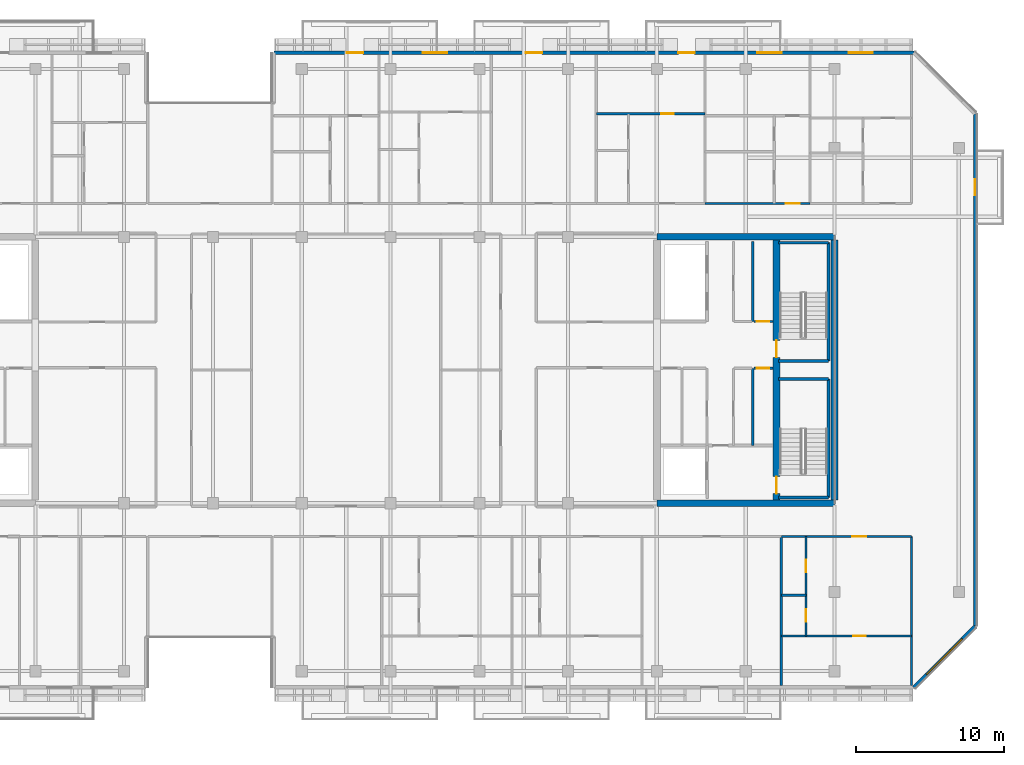
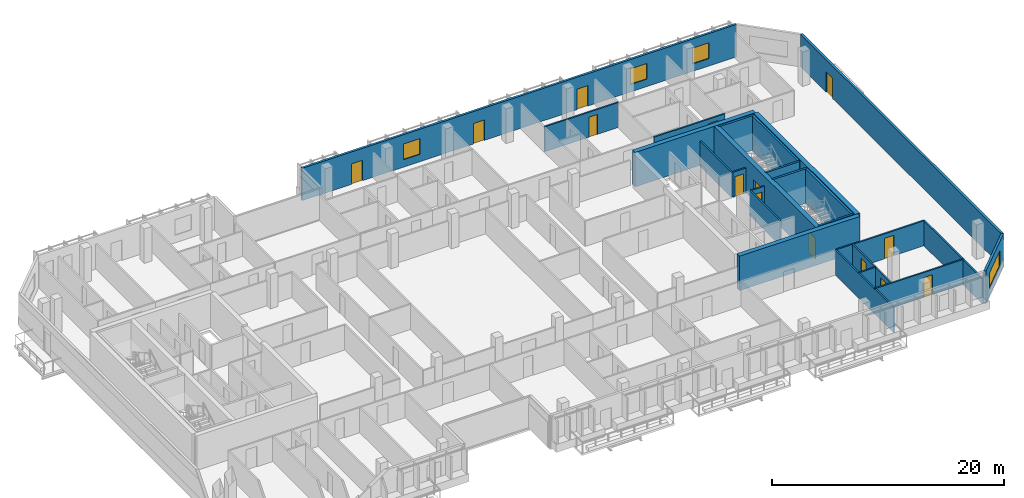
# One storey, part 15 of 23: 25 walls, 14 doors, 4 windows, 18 openings.
"""IFC4 building model written with IfcOpenShell, lengths in metres."""

import ifcopenshell
import ifcopenshell.guid

model = None  # the IFC model being written
_history = None  # IfcOwnerHistory: only IFC2X3 demands one
_inside = {}  # id of a spatial element -> (the spatial element, [elements in it])
_under = {}  # id of a project, library or spatial element -> (it, [spatial elements below it])
_declared = {}  # id of a project -> (the project, [libraries it declares])
_typed = {}  # id of a type object -> (the type object, [elements of that type])
_made_of = {}  # id of a material, layer set ... -> (it, [elements and type objects made of it])


def new_model(schema):
    """Start an empty IFC model of exactly this schema.

    Asked for "IFC4X3", IfcOpenShell would pick the latest addendum, in which some entities
    have other attributes; the version numbers below select the first issue.
    IFC2X3 requires an IfcOwnerHistory on every rooted entity: one is made here for all.
    """
    global model, _history
    if schema == "IFC4X3":
        model = ifcopenshell.file(schema_version=(4, 3, 0, 0))
    else:
        model = ifcopenshell.file(schema=schema)
    _inside.clear()
    _under.clear()
    _declared.clear()
    _typed.clear()
    _made_of.clear()
    _history = None
    if model.schema == "IFC2X3":
        org = make("IfcOrganization", Name="unknown")
        user = make(
            "IfcPersonAndOrganization",
            ThePerson=make("IfcPerson", FamilyName="unknown"),
            TheOrganization=org,
        )
        app = make(
            "IfcApplication",
            ApplicationDeveloper=org,
            Version="unknown",
            ApplicationFullName="unknown",
            ApplicationIdentifier="unknown",
        )
        _history = make(
            "IfcOwnerHistory",
            OwningUser=user,
            OwningApplication=app,
            ChangeAction="ADDED",
            CreationDate=0,
        )
    return model


def make(cls, **values):
    """One entity of the class cls with the attributes given. An attribute that is None is left unset."""
    return model.create_entity(
        cls, **{name: value for name, value in values.items() if value is not None}
    )


def rooted(cls, **values):
    """An entity with a GlobalId (a new one), such as an element, a storey or a relation."""
    return make(cls, GlobalId=ifcopenshell.guid.new(), OwnerHistory=_history, **values)


def si_unit(unit_type, name, prefix=None):
    """IfcSIUnit, for example si_unit("LENGTHUNIT", "METRE", prefix="MILLI")."""
    return make("IfcSIUnit", UnitType=unit_type, Prefix=prefix, Name=name)


def assignment(units):
    """IfcUnitAssignment: the units of a project."""
    return None if units is None else make("IfcUnitAssignment", Units=units)


def point(xyz):
    """IfcCartesianPoint."""
    return None if xyz is None else make("IfcCartesianPoint", Coordinates=xyz)


def direction(xyz):
    """IfcDirection."""
    return None if xyz is None else make("IfcDirection", DirectionRatios=xyz)


def frame(location, z_axis=None, x_axis=None):
    """IfcAxis2Placement3D, a coordinate frame: its origin and axes. An axis left out is left unset."""
    return make(
        "IfcAxis2Placement3D",
        Location=point(location),
        Axis=direction(z_axis),
        RefDirection=direction(x_axis),
    )


def frame_2d(location, x_axis=None):
    """IfcAxis2Placement2D, a coordinate frame in the plane: its origin and x axis."""
    return make(
        "IfcAxis2Placement2D", Location=point(location), RefDirection=direction(x_axis)
    )


def origin():
    """The frame at (0, 0, 0) with its axes left unset."""
    return frame((0.0, 0.0, 0.0))


def place(relative_to, where):
    """IfcLocalPlacement: puts the frame where relative to a parent placement (None: the world)."""
    return make(
        "IfcLocalPlacement", PlacementRelTo=relative_to, RelativePlacement=where
    )


def context(
    kind, dimensions, precision=None, world=None, true_north=None, identifier=None
):
    """IfcGeometricRepresentationContext, for example the 3D "Model" context."""
    return make(
        "IfcGeometricRepresentationContext",
        ContextIdentifier=identifier,
        ContextType=kind,
        CoordinateSpaceDimension=dimensions,
        Precision=precision,
        WorldCoordinateSystem=world,
        TrueNorth=true_north,
    )


def subcontext(parent, identifier, kind, view, scale=None):
    """IfcGeometricRepresentationSubContext, for example "Body" below "Model"."""
    return make(
        "IfcGeometricRepresentationSubContext",
        ContextIdentifier=identifier,
        ContextType=kind,
        ParentContext=parent,
        TargetScale=scale,
        TargetView=view,
    )


def project(units=None, contexts=None):
    """IfcProject with its units and contexts."""
    return rooted(
        "IfcProject",
        Name="project",
        RepresentationContexts=contexts,
        UnitsInContext=assignment(units),
    )


def spatial(cls, under=None, at=None, **own):
    """A site, building, storey or space (cls), placed at a placement, below another one or the project."""
    s = rooted(cls, ObjectPlacement=at, **own)
    if under is not None:
        _under.setdefault(under.id(), (under, []))[1].append(s)
    return s


def profile(cls, at=None, kind="AREA", **sizes):
    """A parametric profile (cls). Its sizes go by their IFC names, for example OverallWidth=200.0."""
    return make(cls, ProfileType=kind, Position=at, **sizes)


def rectangle(**sizes):
    """IfcRectangleProfileDef."""
    return profile("IfcRectangleProfileDef", **sizes)


def extrude(swept, where, along, depth):
    """IfcExtrudedAreaSolid: the profile swept, set in the frame where, extruded along a direction by depth."""
    return make(
        "IfcExtrudedAreaSolid",
        SweptArea=swept,
        Position=where,
        ExtrudedDirection=direction(along),
        Depth=depth,
    )


def shape(context_of_items, identifier, shape_type, items):
    """IfcShapeRepresentation: the items that make up one representation, for example the "Body"."""
    return make(
        "IfcShapeRepresentation",
        ContextOfItems=context_of_items,
        RepresentationIdentifier=identifier,
        RepresentationType=shape_type,
        Items=items,
    )


def material(Name=None, Category=None):
    """IfcMaterial."""
    return make("IfcMaterial", Name=Name, Category=Category)


def layer(
    of_material, thickness, ventilated=None, Name=None, Category=None, Priority=None
):
    """IfcMaterialLayer: one layer of a wall or slab, of a material (None: an air gap)."""
    return make(
        "IfcMaterialLayer",
        Material=of_material,
        LayerThickness=thickness,
        IsVentilated=ventilated,
        Name=Name,
        Category=Category,
        Priority=Priority,
    )


def layer_set(layers, Name=None):
    """IfcMaterialLayerSet."""
    return make("IfcMaterialLayerSet", MaterialLayers=layers, LayerSetName=Name)


def made_of(thing, what):
    """Note that an element or type object is made of a material, layer set ...; save() writes the relation."""
    if what is not None:
        _made_of.setdefault(what.id(), (what, []))[1].append(thing)
    return thing


def type_object(cls, material=None, **own):
    """A type object (cls), such as IfcWallType, which elements share."""
    return made_of(rooted(cls, **own), material)


def element(
    cls,
    number,
    at=None,
    inside=None,
    cuts=None,
    type_object=None,
    material=None,
    context=None,
    identifier="Body",
    shape_type=None,
    held_by="IfcProductDefinitionShape",
    body=None,
    shapes=None,
    **own,
):
    """One element of the class cls, such as IfcWall. Its Tag is "e" and its number.

    at: its placement. inside: the storey or other place that contains it. cuts: it is an
    opening in that element (IfcRelVoidsElement). A single representation is given by context,
    identifier, shape_type and body (its items); several are given by shapes. held_by: the class
    of the entity that holds the representations. save() writes the other relations.
    """
    e = rooted(cls, Tag="e%d" % number, ObjectPlacement=at, **own)
    if body is not None:
        shapes = [shape(context, identifier, shape_type, body)]
    if shapes is not None:
        e.Representation = make(held_by, Representations=shapes)
    if inside is not None:
        _inside.setdefault(inside.id(), (inside, []))[1].append(e)
    if cuts is not None:
        rooted(
            "IfcRelVoidsElement", RelatingBuildingElement=cuts, RelatedOpeningElement=e
        )
    if type_object is not None:
        _typed.setdefault(type_object.id(), (type_object, []))[1].append(e)
    return made_of(e, material)


def fill(opening, filler):
    """IfcRelFillsElement: the door or window that sits in an opening."""
    return rooted(
        "IfcRelFillsElement",
        RelatingOpeningElement=opening,
        RelatedBuildingElement=filler,
    )


def aggregate(whole, parts):
    """IfcRelAggregates: a whole, such as a stair, and the parts it consists of."""
    return rooted("IfcRelAggregates", RelatingObject=whole, RelatedObjects=parts)


def save(model, path):
    """Write the relations noted so far, then the file.

    IfcRelAggregates (storeys below a building ...), IfcRelContainedInSpatialStructure (elements
    in a storey), IfcRelDefinesByType, IfcRelAssociatesMaterial and IfcRelDeclares: one each for
    every whole, place, type object, material and project.
    """
    for whole, parts in _under.values():
        aggregate(whole, parts)
    for where, things in _inside.values():
        rooted(
            "IfcRelContainedInSpatialStructure",
            RelatedElements=things,
            RelatingStructure=where,
        )
    for kind, things in _typed.values():
        rooted("IfcRelDefinesByType", RelatedObjects=things, RelatingType=kind)
    for what, things in _made_of.values():
        rooted("IfcRelAssociatesMaterial", RelatedObjects=things, RelatingMaterial=what)
    for by, libraries in _declared.values():
        rooted("IfcRelDeclares", RelatingContext=by, RelatedDefinitions=libraries)
    model.write(path)


model = new_model("IFC4")

# Units and contexts
model_context = context("Model", 3, precision=1e-05, world=origin(), true_north=direction((0.0, 1.0)))
body_context = subcontext(model_context, "Body", "Model", "MODEL_VIEW")
ifc_project = project(units=[si_unit("LENGTHUNIT", "METRE"), si_unit("AREAUNIT", "SQUARE_METRE"), si_unit("VOLUMEUNIT", "CUBIC_METRE"), si_unit("PLANEANGLEUNIT", "RADIAN"), si_unit("MASSUNIT", "GRAM", prefix="KILO")], contexts=[model_context])

# Site, building, storey
site_placement = place(None, origin())
site = spatial("IfcSite", under=ifc_project, at=site_placement, CompositionType="ELEMENT")
building_placement = place(site_placement, origin())
building = spatial("IfcBuilding", under=site, at=building_placement, Name="Tanjung Sevakor Pilgrim Tower", CompositionType="ELEMENT")
storey_placement = place(building_placement, frame((0.0, 0.0, 215.489990234375)))
storey = spatial("IfcBuildingStorey", under=building, at=storey_placement, Name="L60", CompositionType="ELEMENT", Elevation=215.489990234375)

# Walls
ifc_material_1 = material(Name="Concrete C60/75", Category="concrete")
ifc_layer_1 = layer(ifc_material_1, 0.449951171875)
ifc_layer_set_1 = layer_set([ifc_layer_1], Name="WALL-CW-450")
wall_type_1 = type_object("IfcWallType", Name="WALL-CW-450", PredefinedType="SHEAR", material=ifc_layer_set_1)
for number, where, z_axis, x_axis, name in (
    (1, (78.0, 24.60009765625, 0.0), (0.0, 0.0, 1.0), (1.0, 0.0, 0.0), "L60 E Core South Shear Wall"),
    (2, (90.0, 42.60009765625, 0.0), (0.0, 0.0, 1.0), (-1.0, 0.0, 0.0), "L60 E Core North Shear Wall"),
):
    element("IfcWall", number, at=place(storey_placement, frame(where, z_axis=z_axis, x_axis=x_axis)), inside=storey, type_object=wall_type_1, Name=name, PredefinedType="SHEAR", context=body_context, shape_type="SweptSolid", body=[
        extrude(rectangle(XDim=12.0, YDim=0.449951171875, at=frame_2d((6.0, 0.0))), origin(), (0.0, 0.0, 1.0), 3.630126953125),
    ])
wall_1_placement = place(storey_placement, frame((90.0, 24.824951171875, 0.0), z_axis=(0.0, 0.0, 1.0), x_axis=(0.0, 1.0, 0.0)))
element("IfcWall", 3, at=wall_1_placement, inside=storey, type_object=wall_type_1, Name="L60 E Core Outer Shear Wall", PredefinedType="SHEAR", context=body_context, shape_type="SweptSolid", body=[
    extrude(rectangle(XDim=17.550048828125, YDim=0.449951171875, at=frame_2d((8.77490234375, 0.0))), origin(), (0.0, 0.0, 1.0), 3.630126953125),
])

# Wall, openings, doors
wall_2_placement = place(storey_placement, frame((86.074951171875, 24.824951171875, 0.0), z_axis=(0.0, 0.0, 1.0), x_axis=(0.0, 1.0, 0.0)))
wall_2 = element("IfcWall", 4, at=wall_2_placement, inside=storey, type_object=wall_type_1, Name="L60 E Core Stair Spine Wall", PredefinedType="SHEAR", context=body_context, shape_type="SweptSolid", body=[
    extrude(rectangle(XDim=17.550048828125, YDim=0.449951171875, at=frame_2d((8.77490234375, 0.0))), origin(), (0.0, 0.0, 1.0), 3.630126953125),
])
opening_1_placement = place(wall_2_placement, frame((0.425048828125, 0.0, 0.0)))
opening_1 = element("IfcOpeningElement", 5, at=opening_1_placement, cuts=wall_2, Name="Opening ID-ST1", PredefinedType="OPENING", context=body_context, shape_type="SweptSolid", body=[
    extrude(rectangle(XDim=1.14990234375, YDim=2.14990234375, at=frame_2d((0.574951171875, 1.074951171875))), frame((0.0, 0.23486328125, 0.0), z_axis=(0.0, -1.0, 0.0), x_axis=(1.0, 0.0, 0.0)), (0.0, 0.0, 1.0), 0.469970703125),
])
opening_2_placement = place(wall_2_placement, frame((9.625, 0.0, 0.0)))
opening_2 = element("IfcOpeningElement", 6, at=opening_2_placement, cuts=wall_2, Name="Opening ID-ST1", PredefinedType="OPENING", context=body_context, shape_type="SweptSolid", body=[
    extrude(rectangle(XDim=1.14990234375, YDim=2.14990234375, at=frame_2d((0.574951171875, 1.074951171875))), frame((0.0, 0.23486328125, 0.0), z_axis=(0.0, -1.0, 0.0), x_axis=(1.0, 0.0, 0.0)), (0.0, 0.0, 1.0), 0.469970703125),
])
ifc_material_2 = material(Name="Fire-Rated Steel S355J2", Category="steel")
door_type_1 = type_object("IfcDoorType", Name="DT-FIRE-1150", OperationType="NOTDEFINED", PredefinedType="DOOR", material=ifc_material_2)
door_1_placement = place(opening_1_placement, origin())
door_1 = element("IfcDoor", 7, at=door_1_placement, inside=storey, type_object=door_type_1, Name="L60 TS-E1 Stair Fire Door", OperationType="SINGLE_SWING_RIGHT", OverallHeight=2.14990234375, OverallWidth=1.14990234375, PredefinedType="DOOR", context=body_context, shape_type="SweptSolid", body=[
    extrude(rectangle(XDim=1.14990234375, YDim=2.14990234375, at=frame_2d((0.574951171875, 1.074951171875))), frame((0.0, 0.02490234375, 0.0), z_axis=(0.0, -1.0, 0.0), x_axis=(1.0, 0.0, 0.0)), (0.0, 0.0, 1.0), 0.050048828125),
])
fill(opening_1, door_1)
door_2_placement = place(opening_2_placement, origin())
door_2 = element("IfcDoor", 8, at=door_2_placement, inside=storey, type_object=door_type_1, Name="L60 TS-E2 Stair Fire Door", OperationType="SINGLE_SWING_LEFT", OverallHeight=2.14990234375, OverallWidth=1.14990234375, PredefinedType="DOOR", context=body_context, shape_type="SweptSolid", body=[
    extrude(rectangle(XDim=1.14990234375, YDim=2.14990234375, at=frame_2d((0.574951171875, 1.074951171875))), frame((0.0, 0.02490234375, 0.0), z_axis=(0.0, -1.0, 0.0), x_axis=(1.0, 0.0, 0.0)), (0.0, 0.0, 1.0), 0.050048828125),
])
fill(opening_2, door_2)

# Wall
ifc_material_3 = material(Name="Concrete C40/50", Category="concrete")
ifc_layer_2 = layer(ifc_material_3, 0.14990234375)
ifc_layer_set_2 = layer_set([ifc_layer_2], Name="WT-COMP-150")
wall_type_2 = type_object("IfcWallType", Name="WT-COMP-150", PredefinedType="SOLIDWALL", material=ifc_layer_set_2)
wall_3_placement = place(storey_placement, frame((84.47998046875, 28.5, 0.0), z_axis=(0.0, 0.0, 1.0), x_axis=(0.0, 1.0, 0.0)))
element("IfcWall", 9, at=wall_3_placement, inside=storey, type_object=wall_type_2, Name="L60 Partition IW-L60-019", PredefinedType="SOLIDWALL", context=body_context, shape_type="SweptSolid", body=[
    extrude(rectangle(XDim=5.219970703125, YDim=0.14990234375, at=frame_2d((2.60986328125, 0.0))), origin(), (0.0, 0.0, 1.0), 2.6298828125),
])

# Wall, opening, door
wall_4_placement = place(storey_placement, frame((84.550048828125, 33.719970703125, 0.0), z_axis=(0.0, 0.0, 1.0), x_axis=(1.0, 0.0, 0.0)))
wall_4 = element("IfcWall", 10, at=wall_4_placement, inside=storey, type_object=wall_type_2, Name="L60 Partition IW-L60-020", PredefinedType="SOLIDWALL", context=body_context, shape_type="SweptSolid", body=[
    extrude(rectangle(XDim=1.280029296875, YDim=0.14990234375, at=frame_2d((0.64013671875, 0.0))), origin(), (0.0, 0.0, 1.0), 2.6298828125),
])
opening_3_placement = place(wall_4_placement, frame((0.179931640625, 0.0, 0.0)))
opening_3 = element("IfcOpeningElement", 11, at=opening_3_placement, cuts=wall_4, Name="Opening ID-FD3", PredefinedType="OPENING", context=body_context, shape_type="SweptSolid", body=[
    extrude(rectangle(XDim=0.85009765625, YDim=2.10009765625, at=frame_2d((0.425048828125, 1.050048828125))), frame((0.0, 0.0849609375, 0.0), z_axis=(0.0, -1.0, 0.0), x_axis=(1.0, 0.0, 0.0)), (0.0, 0.0, 1.0), 0.169921875),
])
ifc_material_4 = material(Name="Fire-Rated Timber", Category="wood")
door_type_2 = type_object("IfcDoorType", Name="DT-FIRE-850", OperationType="NOTDEFINED", PredefinedType="DOOR", material=ifc_material_4)
door_3_placement = place(opening_3_placement, origin())
door_3 = element("IfcDoor", 12, at=door_3_placement, inside=storey, type_object=door_type_2, Name="L60 Cleaner Store Door", OperationType="SINGLE_SWING_RIGHT", OverallHeight=2.10009765625, OverallWidth=0.85009765625, PredefinedType="DOOR", context=body_context, shape_type="SweptSolid", body=[
    extrude(rectangle(XDim=0.85009765625, YDim=2.10009765625, at=frame_2d((0.425048828125, 1.050048828125))), frame((0.0, 0.02490234375, 0.0), z_axis=(0.0, -1.0, 0.0), x_axis=(1.0, 0.0, 0.0)), (0.0, 0.0, 1.0), 0.050048828125),
])
fill(opening_3, door_3)

# Wall
wall_5_placement = place(storey_placement, frame((84.47998046875, 36.8798828125, 0.0), z_axis=(0.0, 0.0, 1.0), x_axis=(0.0, 1.0, 0.0)))
element("IfcWall", 13, at=wall_5_placement, inside=storey, type_object=wall_type_2, Name="L60 Partition IW-L60-027", PredefinedType="SOLIDWALL", context=body_context, shape_type="SweptSolid", body=[
    extrude(rectangle(XDim=5.420166015625, YDim=0.14990234375, at=frame_2d((2.7099609375, 0.0))), origin(), (0.0, 0.0, 1.0), 2.6298828125),
])

# Wall, opening, door
wall_6_placement = place(storey_placement, frame((84.550048828125, 36.8798828125, 0.0), z_axis=(0.0, 0.0, 1.0), x_axis=(1.0, 0.0, 0.0)))
wall_6 = element("IfcWall", 14, at=wall_6_placement, inside=storey, type_object=wall_type_2, Name="L60 Partition IW-L60-028", PredefinedType="SOLIDWALL", context=body_context, shape_type="SweptSolid", body=[
    extrude(rectangle(XDim=1.280029296875, YDim=0.14990234375, at=frame_2d((0.64013671875, 0.0))), origin(), (0.0, 0.0, 1.0), 2.6298828125),
])
opening_4_placement = place(wall_6_placement, frame((0.179931640625, 0.0, 0.0)))
opening_4 = element("IfcOpeningElement", 15, at=opening_4_placement, cuts=wall_6, Name="Opening ID-FD3", PredefinedType="OPENING", context=body_context, shape_type="SweptSolid", body=[
    extrude(rectangle(XDim=0.85009765625, YDim=2.10009765625, at=frame_2d((0.425048828125, 1.050048828125))), frame((0.0, 0.0849609375, 0.0), z_axis=(0.0, -1.0, 0.0), x_axis=(1.0, 0.0, 0.0)), (0.0, 0.0, 1.0), 0.169921875),
])
door_4_placement = place(opening_4_placement, origin())
door_4 = element("IfcDoor", 16, at=door_4_placement, inside=storey, type_object=door_type_2, Name="L60 Service Store Door", OperationType="SINGLE_SWING_RIGHT", OverallHeight=2.10009765625, OverallWidth=0.85009765625, PredefinedType="DOOR", context=body_context, shape_type="SweptSolid", body=[
    extrude(rectangle(XDim=0.85009765625, YDim=2.10009765625, at=frame_2d((0.425048828125, 1.050048828125))), frame((0.0, 0.02490234375, 0.0), z_axis=(0.0, -1.0, 0.0), x_axis=(1.0, 0.0, 0.0)), (0.0, 0.0, 1.0), 0.050048828125),
])
fill(opening_4, door_4)

# Walls
for number, where, z_axis, x_axis, name in (
    (17, (95.199951171875, 12.27001953125, 0.0), (0.0, 0.0, 1.0), (0.0, 1.0, 0.0), "L60 Partition IW-L60-075"),
    (18, (86.40185546875, 12.27001953125, 0.0), (0.0, 0.0, 1.0), (0.0, 1.0, 0.0), "L60 Partition IW-L60-088"),
):
    element("IfcWall", number, at=place(storey_placement, frame(where, z_axis=z_axis, x_axis=x_axis)), inside=storey, type_object=wall_type_2, Name=name, PredefinedType="SOLIDWALL", context=body_context, shape_type="SweptSolid", body=[
        extrude(rectangle(XDim=10.080078125, YDim=0.14990234375, at=frame_2d((5.0400390625, 0.0))), origin(), (0.0, 0.0, 1.0), 2.6298828125),
    ])

# Wall, opening, door
wall_7_placement = place(storey_placement, frame((86.40185546875, 22.35009765625, 0.0), z_axis=(0.0, 0.0, 1.0), x_axis=(1.0, 0.0, 0.0)))
wall_7 = element("IfcWall", 19, at=wall_7_placement, inside=storey, type_object=wall_type_2, Name="L60 Partition IW-L60-093", PredefinedType="SOLIDWALL", context=body_context, shape_type="SweptSolid", body=[
    extrude(rectangle(XDim=8.798095703125, YDim=0.14990234375, at=frame_2d((4.39892578125, 0.0))), origin(), (0.0, 0.0, 1.0), 2.6298828125),
])
opening_5_placement = place(wall_7_placement, frame((4.802978515625, 0.0, 0.0)))
opening_5 = element("IfcOpeningElement", 20, at=opening_5_placement, cuts=wall_7, Name="Opening ID-FD2", PredefinedType="OPENING", context=body_context, shape_type="SweptSolid", body=[
    extrude(rectangle(XDim=0.949951171875, YDim=2.14990234375, at=frame_2d((0.47509765625, 1.074951171875))), frame((0.0, 0.0849609375, 0.0), z_axis=(0.0, -1.0, 0.0), x_axis=(1.0, 0.0, 0.0)), (0.0, 0.0, 1.0), 0.169921875),
])
ifc_material_5 = material(Name="Fire-Rated Timber", Category="wood")
door_type_3 = type_object("IfcDoorType", Name="DT-FIRE-950", OperationType="NOTDEFINED", PredefinedType="DOOR", material=ifc_material_5)
door_5_placement = place(opening_5_placement, origin())
door_5 = element("IfcDoor", 21, at=door_5_placement, inside=storey, type_object=door_type_3, Name="Residence Entrance", OperationType="SINGLE_SWING_RIGHT", OverallHeight=2.14990234375, OverallWidth=0.949951171875, PredefinedType="DOOR", context=body_context, shape_type="SweptSolid", body=[
    extrude(rectangle(XDim=0.949951171875, YDim=2.14990234375, at=frame_2d((0.47509765625, 1.074951171875))), frame((0.0, 0.02490234375, 0.0), z_axis=(0.0, -1.0, 0.0), x_axis=(1.0, 0.0, 0.0)), (0.0, 0.0, 1.0), 0.050048828125),
])
fill(opening_5, door_5)

wall_8_placement = place(storey_placement, frame((81.248046875, 44.85009765625, 0.0), z_axis=(0.0, 0.0, 1.0), x_axis=(1.0, 0.0, 0.0)))
wall_8 = element("IfcWall", 22, at=wall_8_placement, inside=storey, type_object=wall_type_2, Name="L60 Partition IW-L60-127", PredefinedType="SOLIDWALL", context=body_context, shape_type="SweptSolid", body=[
    extrude(rectangle(XDim=7.098388671875, YDim=0.14990234375, at=frame_2d((3.54931640625, 0.0))), origin(), (0.0, 0.0, 1.0), 2.6298828125),
])
opening_6_placement = place(wall_8_placement, frame((5.4501953125, 0.0, 0.0)))
opening_6 = element("IfcOpeningElement", 23, at=opening_6_placement, cuts=wall_8, Name="Opening ID-FD2", PredefinedType="OPENING", context=body_context, shape_type="SweptSolid", body=[
    extrude(rectangle(XDim=0.949951171875, YDim=2.14990234375, at=frame_2d((0.47509765625, 1.074951171875))), frame((0.0, 0.0849609375, 0.0), z_axis=(0.0, -1.0, 0.0), x_axis=(1.0, 0.0, 0.0)), (0.0, 0.0, 1.0), 0.169921875),
])
door_6_placement = place(opening_6_placement, origin())
door_6 = element("IfcDoor", 24, at=door_6_placement, inside=storey, type_object=door_type_3, Name="Residence Entrance", OperationType="SINGLE_SWING_LEFT", OverallHeight=2.14990234375, OverallWidth=0.949951171875, PredefinedType="DOOR", context=body_context, shape_type="SweptSolid", body=[
    extrude(rectangle(XDim=0.949951171875, YDim=2.14990234375, at=frame_2d((0.47509765625, 1.074951171875))), frame((0.0, 0.02490234375, 0.0), z_axis=(0.0, -1.0, 0.0), x_axis=(1.0, 0.0, 0.0)), (0.0, 0.0, 1.0), 0.050048828125),
])
fill(opening_6, door_6)

# Wall, opening, window
ifc_material_6 = material(Name="Precast concrete C45/55", Category="concrete")
ifc_layer_3 = layer(ifc_material_6, 0.219970703125)
ifc_layer_set_3 = layer_set([ifc_layer_3], Name="WT-EW-STN4")
wall_type_3 = type_object("IfcWallType", Name="WT-EW-STN4", PredefinedType="SOLIDWALL", material=ifc_layer_set_3)
wall_9_placement = place(storey_placement, frame((95.3544921875, 12.159912109375, 0.0), z_axis=(0.0, 0.0, 1.0), x_axis=(0.707085909342, 0.707127652415, 0.0)))
wall_9 = element("IfcWall", 25, at=wall_9_placement, inside=storey, type_object=wall_type_3, Name="L60 MAIN Sculpted Corner Wall 5", PredefinedType="SOLIDWALL", context=body_context, shape_type="SweptSolid", body=[
    extrude(rectangle(XDim=5.8486328125, YDim=0.219970703125, at=frame_2d((2.92431640625, 0.0))), origin(), (0.0, 0.0, 1.0), 3.409912109375),
])
opening_7_placement = place(wall_9_placement, frame((1.224365234375, 0.0, 0.780029296875)))
opening_7 = element("IfcOpeningElement", 26, at=opening_7_placement, cuts=wall_9, Name="Opening WN-CHM-1660", PredefinedType="OPENING", context=body_context, shape_type="SweptSolid", body=[
    extrude(rectangle(XDim=3.39990234375, YDim=1.659912109375, at=frame_2d((1.699951171875, 0.830078125))), frame((0.0, 0.119873046875, 0.0), z_axis=(0.0, -1.0, 0.0), x_axis=(1.0, 0.0, 0.0)), (0.0, 0.0, 1.0), 0.239990234375),
])
ifc_material_7 = material(Name="Thermally Broken Aluminium and Low-E Glass", Category="aluminium")
window_type_1 = type_object("IfcWindowType", Name="WTYP-WN-CHM-1660", PartitioningType="DOUBLE_PANEL_VERTICAL", PredefinedType="WINDOW", material=ifc_material_7)
window_1_placement = place(opening_7_placement, origin())
window_1 = element("IfcWindow", 27, at=window_1_placement, inside=storey, type_object=window_type_1, Name="L60 Facade Window 01", OverallHeight=1.659912109375, OverallWidth=3.39990234375, PartitioningType="SINGLE_PANEL", PredefinedType="WINDOW", context=body_context, shape_type="SweptSolid", body=[
    extrude(rectangle(XDim=3.39990234375, YDim=1.659912109375, at=frame_2d((1.699951171875, 0.830078125))), frame((0.0, 0.030029296875, 0.0), z_axis=(0.0, -1.0, 0.0), x_axis=(1.0, 0.0, 0.0)), (0.0, 0.0, 1.0), 0.06005859375),
])
fill(opening_7, window_1)

# Wall, opening, door
wall_10_placement = place(storey_placement, frame((99.489990234375, 16.295654296875, 0.0), z_axis=(0.0, 0.0, 1.0), x_axis=(0.0, 1.0, 0.0)))
wall_10 = element("IfcWall", 28, at=wall_10_placement, inside=storey, type_object=wall_type_3, Name="L60 MAIN Exterior Wall 7", PredefinedType="SOLIDWALL", context=body_context, shape_type="SweptSolid", body=[
    extrude(rectangle(XDim=34.608642578125, YDim=0.219970703125, at=frame_2d((17.30419921875, 0.0))), origin(), (0.0, 0.0, 1.0), 3.409912109375),
])
opening_8_placement = place(wall_10_placement, frame((29.1044921875, 0.0, 0.0)))
opening_8 = element("IfcOpeningElement", 29, at=opening_8_placement, cuts=wall_10, Name="Opening ED-BAL-1100", PredefinedType="OPENING", context=body_context, shape_type="SweptSolid", body=[
    extrude(rectangle(XDim=1.10009765625, YDim=2.14990234375, at=frame_2d((0.550048828125, 1.074951171875))), frame((0.0, 0.119873046875, 0.0), z_axis=(0.0, -1.0, 0.0), x_axis=(1.0, 0.0, 0.0)), (0.0, 0.0, 1.0), 0.239990234375),
])
ifc_material_8 = material(Name="Anodised Aluminium and Laminated Glass", Category="aluminium")
door_type_4 = type_object("IfcDoorType", Name="DTYP-ED-BAL-1100", OperationType="NOTDEFINED", PredefinedType="DOOR", material=ifc_material_8)
door_7_placement = place(opening_8_placement, frame((1.10009765625, 0.0, 0.0), z_axis=(0.0, 0.0, 1.0), x_axis=(-1.0, 0.0, 0.0)))
door_7 = element("IfcDoor", 30, at=door_7_placement, inside=storey, type_object=door_type_4, Name="L60 East Loggia Door MAIN-E1", OperationType="SINGLE_SWING_LEFT", OverallHeight=2.14990234375, OverallWidth=1.10009765625, PredefinedType="DOOR", context=body_context, shape_type="SweptSolid", body=[
    extrude(rectangle(XDim=1.10009765625, YDim=2.14990234375, at=frame_2d((0.550048828125, 1.074951171875))), frame((0.0, 0.02490234375, 0.0), z_axis=(0.0, -1.0, 0.0), x_axis=(1.0, 0.0, 0.0)), (0.0, 0.0, 1.0), 0.050048828125),
])
fill(opening_8, door_7)

# Wall, openings, doors, windows
wall_11_placement = place(storey_placement, frame((95.3544921875, 55.0400390625, 0.0), z_axis=(0.0, 0.0, 1.0), x_axis=(-1.0, 0.0, 0.0)))
wall_11 = element("IfcWall", 31, at=wall_11_placement, inside=storey, type_object=wall_type_3, Name="L60 MAIN Exterior Wall 9", PredefinedType="SOLIDWALL", context=body_context, shape_type="SweptSolid", body=[
    extrude(rectangle(XDim=43.244384765625, YDim=0.219970703125, at=frame_2d((21.6220703125, 0.0))), origin(), (0.0, 0.0, 1.0), 3.409912109375),
])
opening_9_placement = place(wall_11_placement, frame((37.204345703125, 0.0, 0.0)))
opening_9 = element("IfcOpeningElement", 32, at=opening_9_placement, cuts=wall_11, Name="Opening ED-BAL-1100", PredefinedType="OPENING", context=body_context, shape_type="SweptSolid", body=[
    extrude(rectangle(XDim=1.10009765625, YDim=2.14990234375, at=frame_2d((0.550048828125, 1.074951171875))), frame((0.0, 0.119873046875, 0.0), z_axis=(0.0, -1.0, 0.0), x_axis=(1.0, 0.0, 0.0)), (0.0, 0.0, 1.0), 0.239990234375),
])
opening_10_placement = place(wall_11_placement, frame((25.1044921875, 0.0, 0.0)))
opening_10 = element("IfcOpeningElement", 33, at=opening_10_placement, cuts=wall_11, Name="Opening ED-BAL-1100", PredefinedType="OPENING", context=body_context, shape_type="SweptSolid", body=[
    extrude(rectangle(XDim=1.10009765625, YDim=2.14990234375, at=frame_2d((0.550048828125, 1.074951171875))), frame((0.0, 0.119873046875, 0.0), z_axis=(0.0, -1.0, 0.0), x_axis=(1.0, 0.0, 0.0)), (0.0, 0.0, 1.0), 0.239990234375),
])
opening_11_placement = place(wall_11_placement, frame((14.804443359375, 0.0, 0.0)))
opening_11 = element("IfcOpeningElement", 34, at=opening_11_placement, cuts=wall_11, Name="Opening ED-BAL-1100", PredefinedType="OPENING", context=body_context, shape_type="SweptSolid", body=[
    extrude(rectangle(XDim=1.10009765625, YDim=2.14990234375, at=frame_2d((0.550048828125, 1.074951171875))), frame((0.0, 0.119873046875, 0.0), z_axis=(0.0, -1.0, 0.0), x_axis=(1.0, 0.0, 0.0)), (0.0, 0.0, 1.0), 0.239990234375),
])
opening_12_placement = place(wall_11_placement, frame((31.51708984375, 0.0, 0.780029296875)))
opening_12 = element("IfcOpeningElement", 35, at=opening_12_placement, cuts=wall_11, Name="Opening WN-Z4-1660", PredefinedType="OPENING", context=body_context, shape_type="SweptSolid", body=[
    extrude(rectangle(XDim=1.64990234375, YDim=1.659912109375, at=frame_2d((0.824951171875, 0.830078125))), frame((0.0, 0.119873046875, 0.0), z_axis=(0.0, -1.0, 0.0), x_axis=(1.0, 0.0, 0.0)), (0.0, 0.0, 1.0), 0.239990234375),
])
opening_13_placement = place(wall_11_placement, frame((8.93212890625, 0.0, 0.780029296875)))
opening_13 = element("IfcOpeningElement", 36, at=opening_13_placement, cuts=wall_11, Name="Opening WN-Z4-1660", PredefinedType="OPENING", context=body_context, shape_type="SweptSolid", body=[
    extrude(rectangle(XDim=1.64990234375, YDim=1.659912109375, at=frame_2d((0.824951171875, 0.830078125))), frame((0.0, 0.119873046875, 0.0), z_axis=(0.0, -1.0, 0.0), x_axis=(1.0, 0.0, 0.0)), (0.0, 0.0, 1.0), 0.239990234375),
])
opening_14_placement = place(wall_11_placement, frame((2.756103515625, 0.0, 0.780029296875)))
opening_14 = element("IfcOpeningElement", 37, at=opening_14_placement, cuts=wall_11, Name="Opening WN-Z4-1660", PredefinedType="OPENING", context=body_context, shape_type="SweptSolid", body=[
    extrude(rectangle(XDim=1.64990234375, YDim=1.659912109375, at=frame_2d((0.824951171875, 0.830078125))), frame((0.0, 0.119873046875, 0.0), z_axis=(0.0, -1.0, 0.0), x_axis=(1.0, 0.0, 0.0)), (0.0, 0.0, 1.0), 0.239990234375),
])
door_8_placement = place(opening_9_placement, frame((1.10009765625, 0.0, 0.0), z_axis=(0.0, 0.0, 1.0), x_axis=(-1.0, 0.0, 0.0)))
door_8 = element("IfcDoor", 38, at=door_8_placement, inside=storey, type_object=door_type_4, Name="L60 Balcony Door MAIN-N2", OperationType="SINGLE_SWING_RIGHT", OverallHeight=2.14990234375, OverallWidth=1.10009765625, PredefinedType="DOOR", context=body_context, shape_type="SweptSolid", body=[
    extrude(rectangle(XDim=1.10009765625, YDim=2.14990234375, at=frame_2d((0.550048828125, 1.074951171875))), frame((0.0, 0.02490234375, 0.0), z_axis=(0.0, -1.0, 0.0), x_axis=(1.0, 0.0, 0.0)), (0.0, 0.0, 1.0), 0.050048828125),
])
fill(opening_9, door_8)
door_9_placement = place(opening_10_placement, frame((1.10009765625, 0.0, 0.0), z_axis=(0.0, 0.0, 1.0), x_axis=(-1.0, 0.0, 0.0)))
door_9 = element("IfcDoor", 39, at=door_9_placement, inside=storey, type_object=door_type_4, Name="L60 Balcony Door MAIN-N3", OperationType="SINGLE_SWING_LEFT", OverallHeight=2.14990234375, OverallWidth=1.10009765625, PredefinedType="DOOR", context=body_context, shape_type="SweptSolid", body=[
    extrude(rectangle(XDim=1.10009765625, YDim=2.14990234375, at=frame_2d((0.550048828125, 1.074951171875))), frame((0.0, 0.02490234375, 0.0), z_axis=(0.0, -1.0, 0.0), x_axis=(1.0, 0.0, 0.0)), (0.0, 0.0, 1.0), 0.050048828125),
])
fill(opening_10, door_9)
door_10_placement = place(opening_11_placement, frame((1.10009765625, 0.0, 0.0), z_axis=(0.0, 0.0, 1.0), x_axis=(-1.0, 0.0, 0.0)))
door_10 = element("IfcDoor", 40, at=door_10_placement, inside=storey, type_object=door_type_4, Name="L60 Balcony Door MAIN-N4", OperationType="SINGLE_SWING_RIGHT", OverallHeight=2.14990234375, OverallWidth=1.10009765625, PredefinedType="DOOR", context=body_context, shape_type="SweptSolid", body=[
    extrude(rectangle(XDim=1.10009765625, YDim=2.14990234375, at=frame_2d((0.550048828125, 1.074951171875))), frame((0.0, 0.02490234375, 0.0), z_axis=(0.0, -1.0, 0.0), x_axis=(1.0, 0.0, 0.0)), (0.0, 0.0, 1.0), 0.050048828125),
])
fill(opening_11, door_10)
ifc_material_9 = material(Name="Thermally Broken Aluminium and Low-E Glass", Category="aluminium")
window_type_2 = type_object("IfcWindowType", Name="WTYP-WN-Z4-1660", PartitioningType="DOUBLE_PANEL_VERTICAL", PredefinedType="WINDOW", material=ifc_material_9)
window_2_placement = place(opening_12_placement, origin())
window_2 = element("IfcWindow", 41, at=window_2_placement, inside=storey, type_object=window_type_2, Name="L60 Facade Window 01", OverallHeight=1.659912109375, OverallWidth=1.64990234375, PartitioningType="SINGLE_PANEL", PredefinedType="WINDOW", context=body_context, shape_type="SweptSolid", body=[
    extrude(rectangle(XDim=1.64990234375, YDim=1.659912109375, at=frame_2d((0.824951171875, 0.830078125))), frame((0.0, 0.030029296875, 0.0), z_axis=(0.0, -1.0, 0.0), x_axis=(1.0, 0.0, 0.0)), (0.0, 0.0, 1.0), 0.06005859375),
])
fill(opening_12, window_2)
window_3_placement = place(opening_13_placement, origin())
window_3 = element("IfcWindow", 42, at=window_3_placement, inside=storey, type_object=window_type_2, Name="L60 Facade Window 02", OverallHeight=1.659912109375, OverallWidth=1.64990234375, PartitioningType="SINGLE_PANEL", PredefinedType="WINDOW", context=body_context, shape_type="SweptSolid", body=[
    extrude(rectangle(XDim=1.64990234375, YDim=1.659912109375, at=frame_2d((0.824951171875, 0.830078125))), frame((0.0, 0.030029296875, 0.0), z_axis=(0.0, -1.0, 0.0), x_axis=(1.0, 0.0, 0.0)), (0.0, 0.0, 1.0), 0.06005859375),
])
fill(opening_13, window_3)
window_4_placement = place(opening_14_placement, origin())
window_4 = element("IfcWindow", 43, at=window_4_placement, inside=storey, type_object=window_type_2, Name="L60 Facade Window 03", OverallHeight=1.659912109375, OverallWidth=1.64990234375, PartitioningType="SINGLE_PANEL", PredefinedType="WINDOW", context=body_context, shape_type="SweptSolid", body=[
    extrude(rectangle(XDim=1.64990234375, YDim=1.659912109375, at=frame_2d((0.824951171875, 0.830078125))), frame((0.0, 0.030029296875, 0.0), z_axis=(0.0, -1.0, 0.0), x_axis=(1.0, 0.0, 0.0)), (0.0, 0.0, 1.0), 0.06005859375),
])
fill(opening_14, window_4)

# Walls
ifc_material_10 = material(Name="Concrete C40/50", Category="concrete")
ifc_layer_4 = layer(ifc_material_10, 0.199951171875)
ifc_layer_set_4 = layer_set([ifc_layer_4], Name="WT-FIRE-200")
wall_type_4 = type_object("IfcWallType", Name="WT-FIRE-200", PredefinedType="SOLIDWALL", material=ifc_layer_set_4)
wall_12_placement = place(storey_placement, frame((86.199951171875, 25.0, 0.0), z_axis=(0.0, 0.0, 1.0), x_axis=(1.0, 0.0, 0.0)))
element("IfcWall", 44, at=wall_12_placement, inside=storey, type_object=wall_type_4, Name="L60 TS-E1 Shaft Wall 1", PredefinedType="SOLIDWALL", context=body_context, shape_type="SweptSolid", body=[
    extrude(rectangle(XDim=3.400146484375, YDim=0.199951171875, at=frame_2d((1.7001953125, 0.0))), origin(), (0.0, 0.0, 1.0), 3.630126953125),
])
wall_13_placement = place(storey_placement, frame((89.60009765625, 25.0, 0.0), z_axis=(0.0, 0.0, 1.0), x_axis=(0.0, 1.0, 0.0)))
element("IfcWall", 45, at=wall_13_placement, inside=storey, type_object=wall_type_4, Name="L60 TS-E1 Shaft Wall 2", PredefinedType="SOLIDWALL", context=body_context, shape_type="SweptSolid", body=[
    extrude(rectangle(XDim=8.0, YDim=0.199951171875, at=frame_2d((4.0, 0.0))), origin(), (0.0, 0.0, 1.0), 3.630126953125),
])
for number, where, z_axis, x_axis, name in (
    (46, (89.60009765625, 33.0, 0.0), (0.0, 0.0, 1.0), (-1.0, 0.0, 0.0), "L60 TS-E1 Shaft Wall 3"),
    (47, (86.199951171875, 34.199951171875, 0.0), (0.0, 0.0, 1.0), (1.0, 0.0, 0.0), "L60 TS-E2 Shaft Wall 1"),
):
    element("IfcWall", number, at=place(storey_placement, frame(where, z_axis=z_axis, x_axis=x_axis)), inside=storey, type_object=wall_type_4, Name=name, PredefinedType="SOLIDWALL", context=body_context, shape_type="SweptSolid", body=[
        extrude(rectangle(XDim=3.400146484375, YDim=0.199951171875, at=frame_2d((1.7001953125, 0.0))), origin(), (0.0, 0.0, 1.0), 3.630126953125),
    ])
wall_14_placement = place(storey_placement, frame((89.60009765625, 34.199951171875, 0.0), z_axis=(0.0, 0.0, 1.0), x_axis=(0.0, 1.0, 0.0)))
element("IfcWall", 48, at=wall_14_placement, inside=storey, type_object=wall_type_4, Name="L60 TS-E2 Shaft Wall 2", PredefinedType="SOLIDWALL", context=body_context, shape_type="SweptSolid", body=[
    extrude(rectangle(XDim=8.0, YDim=0.199951171875, at=frame_2d((4.0, 0.0))), origin(), (0.0, 0.0, 1.0), 3.630126953125),
])
wall_15_placement = place(storey_placement, frame((89.60009765625, 42.199951171875, 0.0), z_axis=(0.0, 0.0, 1.0), x_axis=(-1.0, 0.0, 0.0)))
element("IfcWall", 49, at=wall_15_placement, inside=storey, type_object=wall_type_4, Name="L60 TS-E2 Shaft Wall 3", PredefinedType="SOLIDWALL", context=body_context, shape_type="SweptSolid", body=[
    extrude(rectangle(XDim=3.400146484375, YDim=0.199951171875, at=frame_2d((1.7001953125, 0.0))), origin(), (0.0, 0.0, 1.0), 3.630126953125),
])
ifc_material_11 = material(Name="Gypsum Board Partition", Category="gypsum board")
ifc_layer_5 = layer(ifc_material_11, 0.14990234375)
ifc_layer_set_5 = layer_set([ifc_layer_5], Name="WT-PART-150")
wall_type_5 = type_object("IfcWallType", Name="WT-PART-150", PredefinedType="PARTITIONING", material=ifc_layer_set_5)
wall_16_placement = place(storey_placement, frame((86.40185546875, 18.381103515625, 0.0), z_axis=(0.0, 0.0, 1.0), x_axis=(1.0, 0.0, 0.0)))
element("IfcWall", 50, at=wall_16_placement, inside=storey, type_object=wall_type_5, Name="L60 Partition IW-L60-090", PredefinedType="PARTITIONING", context=body_context, shape_type="SweptSolid", body=[
    extrude(rectangle(XDim=1.67822265625, YDim=0.14990234375, at=frame_2d((0.839111328125, 0.0))), origin(), (0.0, 0.0, 1.0), 2.6298828125),
])

# Wall, openings, doors
wall_17_placement = place(storey_placement, frame((88.080078125, 15.623046875, 0.0), z_axis=(0.0, 0.0, 1.0), x_axis=(0.0, 1.0, 0.0)))
wall_17 = element("IfcWall", 51, at=wall_17_placement, inside=storey, type_object=wall_type_5, Name="L60 Partition IW-L60-091", PredefinedType="PARTITIONING", context=body_context, shape_type="SweptSolid", body=[
    extrude(rectangle(XDim=6.72705078125, YDim=0.14990234375, at=frame_2d((3.363525390625, 0.0))), origin(), (0.0, 0.0, 1.0), 2.6298828125),
])
opening_15_placement = place(wall_17_placement, frame((0.9541015625, 0.0, 0.0)))
opening_15 = element("IfcOpeningElement", 52, at=opening_15_placement, cuts=wall_17, Name="Opening ID-WC1", PredefinedType="OPENING", context=body_context, shape_type="SweptSolid", body=[
    extrude(rectangle(XDim=0.85009765625, YDim=2.10009765625, at=frame_2d((0.425048828125, 1.050048828125))), frame((0.0, 0.0849609375, 0.0), z_axis=(0.0, -1.0, 0.0), x_axis=(1.0, 0.0, 0.0)), (0.0, 0.0, 1.0), 0.169921875),
])
opening_16_placement = place(wall_17_placement, frame((4.317626953125, 0.0, 0.0)))
opening_16 = element("IfcOpeningElement", 53, at=opening_16_placement, cuts=wall_17, Name="Opening ID-WC1", PredefinedType="OPENING", context=body_context, shape_type="SweptSolid", body=[
    extrude(rectangle(XDim=0.85009765625, YDim=2.10009765625, at=frame_2d((0.425048828125, 1.050048828125))), frame((0.0, 0.0849609375, 0.0), z_axis=(0.0, -1.0, 0.0), x_axis=(1.0, 0.0, 0.0)), (0.0, 0.0, 1.0), 0.169921875),
])
ifc_material_12 = material(Name="Moisture-Resistant Timber", Category="wood")
door_type_5 = type_object("IfcDoorType", Name="DT-INT-850", OperationType="NOTDEFINED", PredefinedType="DOOR", material=ifc_material_12)
door_11_placement = place(opening_15_placement, origin())
door_11 = element("IfcDoor", 54, at=door_11_placement, inside=storey, type_object=door_type_5, Name="Residence Bathroom Door", OperationType="SINGLE_SWING_LEFT", OverallHeight=2.10009765625, OverallWidth=0.85009765625, PredefinedType="DOOR", context=body_context, shape_type="SweptSolid", body=[
    extrude(rectangle(XDim=0.85009765625, YDim=2.10009765625, at=frame_2d((0.425048828125, 1.050048828125))), frame((0.0, 0.02490234375, 0.0), z_axis=(0.0, -1.0, 0.0), x_axis=(1.0, 0.0, 0.0)), (0.0, 0.0, 1.0), 0.050048828125),
])
fill(opening_15, door_11)
door_12_placement = place(opening_16_placement, origin())
door_12 = element("IfcDoor", 55, at=door_12_placement, inside=storey, type_object=door_type_5, Name="Residence Kitchenette Door", OperationType="SINGLE_SWING_RIGHT", OverallHeight=2.10009765625, OverallWidth=0.85009765625, PredefinedType="DOOR", context=body_context, shape_type="SweptSolid", body=[
    extrude(rectangle(XDim=0.85009765625, YDim=2.10009765625, at=frame_2d((0.425048828125, 1.050048828125))), frame((0.0, 0.02490234375, 0.0), z_axis=(0.0, -1.0, 0.0), x_axis=(1.0, 0.0, 0.0)), (0.0, 0.0, 1.0), 0.050048828125),
])
fill(opening_16, door_12)

# Wall, opening, door
wall_18_placement = place(storey_placement, frame((86.40185546875, 15.623046875, 0.0), z_axis=(0.0, 0.0, 1.0), x_axis=(1.0, 0.0, 0.0)))
wall_18 = element("IfcWall", 56, at=wall_18_placement, inside=storey, type_object=wall_type_5, Name="L60 Partition IW-L60-092", PredefinedType="PARTITIONING", context=body_context, shape_type="SweptSolid", body=[
    extrude(rectangle(XDim=8.798095703125, YDim=0.14990234375, at=frame_2d((4.39892578125, 0.0))), origin(), (0.0, 0.0, 1.0), 2.6298828125),
])
opening_17_placement = place(wall_18_placement, frame((4.85302734375, 0.0, 0.0)))
opening_17 = element("IfcOpeningElement", 57, at=opening_17_placement, cuts=wall_18, Name="Opening ID-WC1", PredefinedType="OPENING", context=body_context, shape_type="SweptSolid", body=[
    extrude(rectangle(XDim=0.85009765625, YDim=2.10009765625, at=frame_2d((0.425048828125, 1.050048828125))), frame((0.0, 0.0849609375, 0.0), z_axis=(0.0, -1.0, 0.0), x_axis=(1.0, 0.0, 0.0)), (0.0, 0.0, 1.0), 0.169921875),
])
door_13_placement = place(opening_17_placement, origin())
door_13 = element("IfcDoor", 58, at=door_13_placement, inside=storey, type_object=door_type_5, Name="Residence Bedroom Door", OperationType="SINGLE_SWING_LEFT", OverallHeight=2.10009765625, OverallWidth=0.85009765625, PredefinedType="DOOR", context=body_context, shape_type="SweptSolid", body=[
    extrude(rectangle(XDim=0.85009765625, YDim=2.10009765625, at=frame_2d((0.425048828125, 1.050048828125))), frame((0.0, 0.02490234375, 0.0), z_axis=(0.0, -1.0, 0.0), x_axis=(1.0, 0.0, 0.0)), (0.0, 0.0, 1.0), 0.050048828125),
])
fill(opening_17, door_13)

wall_19_placement = place(storey_placement, frame((73.90478515625, 50.91259765625, 0.0), z_axis=(0.0, 0.0, 1.0), x_axis=(1.0, 0.0, 0.0)))
wall_19 = element("IfcWall", 59, at=wall_19_placement, inside=storey, type_object=wall_type_5, Name="L60 Partition IW-L60-121", PredefinedType="PARTITIONING", context=body_context, shape_type="SweptSolid", body=[
    extrude(rectangle(XDim=7.34326171875, YDim=0.14990234375, at=frame_2d((3.671630859375, 0.0))), origin(), (0.0, 0.0, 1.0), 2.6298828125),
])
opening_18_placement = place(wall_19_placement, frame((4.374267578125, 0.0, 0.0)))
opening_18 = element("IfcOpeningElement", 60, at=opening_18_placement, cuts=wall_19, Name="Opening ID-WC1", PredefinedType="OPENING", context=body_context, shape_type="SweptSolid", body=[
    extrude(rectangle(XDim=0.85009765625, YDim=2.10009765625, at=frame_2d((0.425048828125, 1.050048828125))), frame((0.0, 0.0849609375, 0.0), z_axis=(0.0, -1.0, 0.0), x_axis=(1.0, 0.0, 0.0)), (0.0, 0.0, 1.0), 0.169921875),
])
door_14_placement = place(opening_18_placement, origin())
door_14 = element("IfcDoor", 61, at=door_14_placement, inside=storey, type_object=door_type_5, Name="Residence Bedroom Door", OperationType="SINGLE_SWING_RIGHT", OverallHeight=2.10009765625, OverallWidth=0.85009765625, PredefinedType="DOOR", context=body_context, shape_type="SweptSolid", body=[
    extrude(rectangle(XDim=0.85009765625, YDim=2.10009765625, at=frame_2d((0.425048828125, 1.050048828125))), frame((0.0, 0.02490234375, 0.0), z_axis=(0.0, -1.0, 0.0), x_axis=(1.0, 0.0, 0.0)), (0.0, 0.0, 1.0), 0.050048828125),
])
fill(opening_18, door_14)

save(model, "model.ifc")
